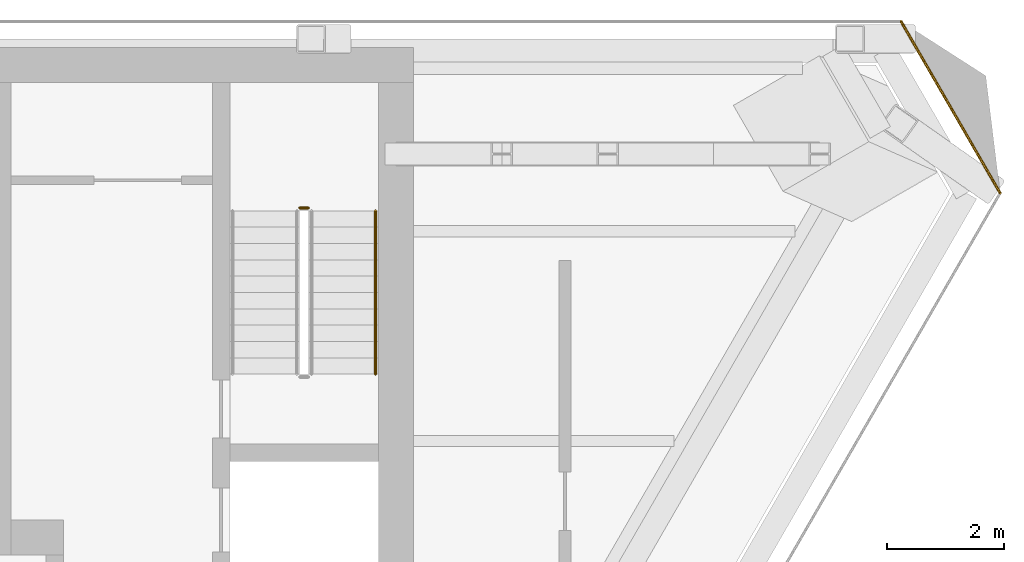
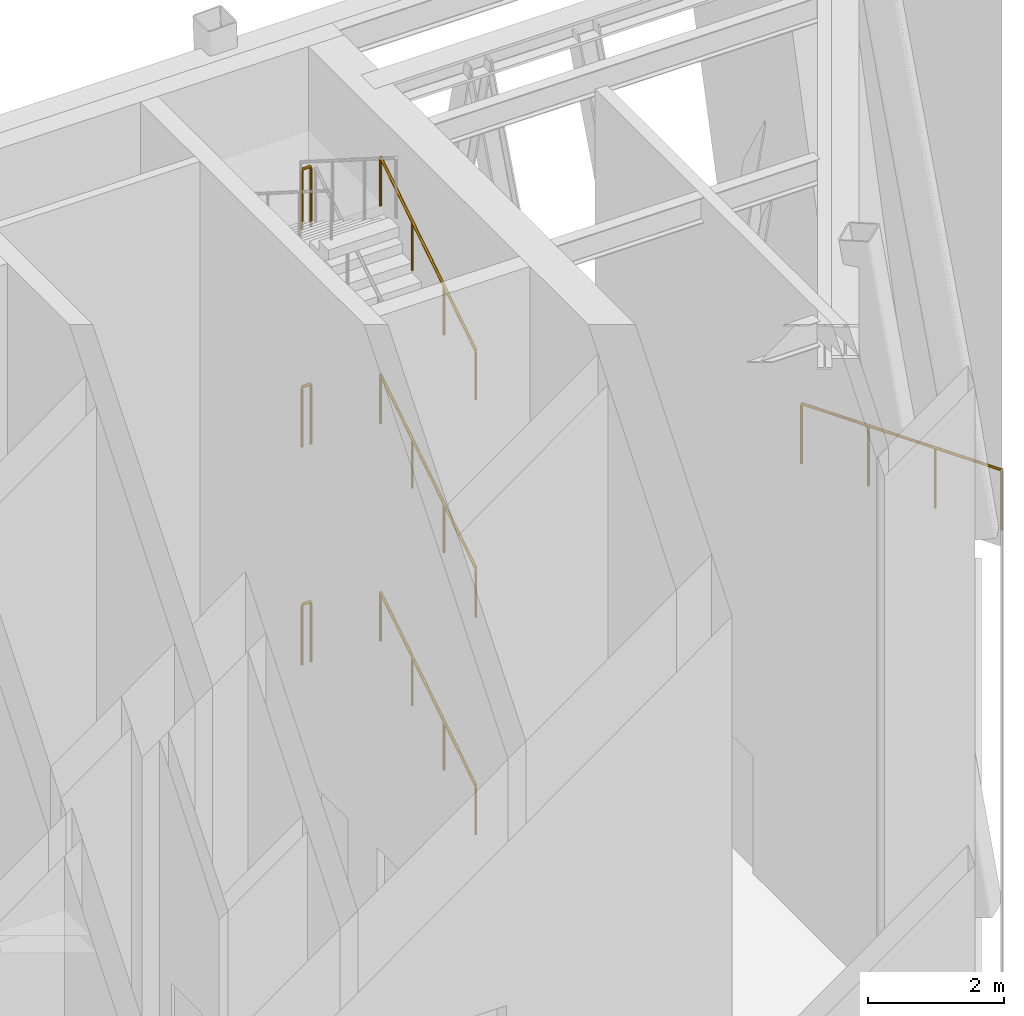
# One storey, part 11 of 11: 7 railings.
"""IFC4 building model written with IfcOpenShell, lengths in metres."""

from ifc_helpers import new_model, si_unit, direction, frame, origin, origin_2d, place, context, subcontext, project, spatial, circle, extrude, material, type_object, element, save


model = new_model("IFC4")

# Units and contexts
model_context = context("Model", 3, precision=1e-05, world=origin(), true_north=direction((0.0, 1.0)))
body_context = subcontext(model_context, "Body", "Model", "MODEL_VIEW")
ifc_project = project(units=[si_unit("LENGTHUNIT", "METRE"), si_unit("AREAUNIT", "SQUARE_METRE"), si_unit("VOLUMEUNIT", "CUBIC_METRE"), si_unit("PLANEANGLEUNIT", "RADIAN"), si_unit("MASSUNIT", "GRAM", prefix="KILO")], contexts=[model_context])

# Site, building, storey
site_placement = place(None, origin())
site = spatial("IfcSite", under=ifc_project, at=site_placement, CompositionType="ELEMENT")
building_placement = place(site_placement, origin())
building = spatial("IfcBuilding", under=site, at=building_placement, Name="Aloe Facet Convention Tower", CompositionType="ELEMENT")
storey_placement = place(building_placement, frame((0.0, 0.0, 227.0)))
storey = spatial("IfcBuildingStorey", under=building, at=storey_placement, Name="L57", CompositionType="ELEMENT", Elevation=227.0)

# Railings
ifc_material_1 = material(Name="Steel S355 balustrade", Category="steel")
railing_type_1 = type_object("IfcRailingType", Name="CR-RL-GUARD", PredefinedType="GUARDRAIL", material=ifc_material_1)
for number, where, name in (
    (1, (89.199951171875, 131.800048828125, 1.949951171875), "L57 ST2 stair guard 2"),
    (2, (89.199951171875, 131.800048828125, 5.85009765625), "L57 ST2 stair guard 6"),
    (3, (89.199951171875, 131.800048828125, 9.75), "L57 ST2 stair guard 10"),
):
    element("IfcRailing", number, at=place(storey_placement, frame(where)), inside=storey, type_object=railing_type_1, Name=name, PredefinedType="GUARDRAIL", context=body_context, shape_type="SweptSolid", body=[
        extrude(circle(Radius=0.02392578125, at=origin_2d()), frame((0.0, 0.0, 1.076171875), z_axis=(-1.0, 0.0, 0.0), x_axis=(0.0, -1.0, 0.0)), (0.0, 0.0, 1.0), 0.14990234375),
        extrude(circle(Radius=0.02099609375, at=origin_2d()), origin(), (0.0, 0.0, 1.0), 1.052001953125),
        extrude(circle(Radius=0.02099609375, at=origin_2d()), frame((-0.14990234375, 0.0, 0.0)), (0.0, 0.0, 1.0), 1.052001953125),
    ])
ifc_material_2 = material(Name="Steel S355 handrail", Category="steel")
railing_type_2 = type_object("IfcRailingType", Name="CR-RL-HAND", PredefinedType="HANDRAIL", material=ifc_material_2)
for number, where, name in (
    (4, (90.35009765625, 128.949951171875, 0.17724609375), "L57 ST2 stair handrail 1"),
    (5, (90.35009765625, 128.949951171875, 4.077392578125), "L57 ST2 stair handrail 3"),
    (6, (90.35009765625, 128.949951171875, 7.977294921875), "L57 ST2 stair handrail 5"),
):
    element("IfcRailing", number, at=place(storey_placement, frame(where)), inside=storey, type_object=railing_type_2, Name=name, PredefinedType="HANDRAIL", context=body_context, shape_type="SweptSolid", body=[
        extrude(circle(Radius=0.02392578125, at=origin_2d()), frame((0.0, 0.0, 0.8759765625), z_axis=(0.0, 0.844908973607, 0.534910110503), x_axis=(-1.0, 0.0, 0.0)), (0.0, 0.0, 1.0), 3.31396484375),
        extrude(circle(Radius=0.02099609375, at=origin_2d()), origin(), (0.0, 0.0, 1.0), 0.851806640625),
        extrude(circle(Radius=0.02099609375, at=origin_2d()), frame((0.0, 0.933349609375, 0.5908203125)), (0.0, 0.0, 1.0), 0.851806640625),
        extrude(circle(Radius=0.02099609375, at=origin_2d()), frame((0.0, 1.86669921875, 1.181884765625)), (0.0, 0.0, 1.0), 0.851806640625),
        extrude(circle(Radius=0.02099609375, at=origin_2d()), frame((0.0, 2.800048828125, 1.772705078125)), (0.0, 0.0, 1.0), 0.851806640625),
    ])
ifc_material_3 = material(Name="Steel S355", Category="steel")
railing_type_3 = type_object("IfcRailingType", Name="EV-GUARD-PORTAL", PredefinedType="GUARDRAIL", material=ifc_material_3)
railing_placement = place(storey_placement, frame((101.064697265625, 132.055419921875, 0.0)))
element("IfcRailing", 7, at=railing_placement, inside=storey, type_object=railing_type_3, Name="GUARD L57-6", PredefinedType="GUARDRAIL", context=body_context, shape_type="SweptSolid", body=[
    extrude(circle(Radius=0.02392578125, at=origin_2d()), frame((0.0, 0.0, 1.076171875), z_axis=(-0.500031147688, 0.866007419912, 0.0), x_axis=(-0.866007419912, -0.500031147688, 0.0)), (0.0, 0.0, 1.0), 3.400146484375),
    extrude(circle(Radius=0.02099609375, at=origin_2d()), origin(), (0.0, 0.0, 1.0), 1.052001953125),
    extrude(circle(Radius=0.02099609375, at=origin_2d()), frame((-0.566650390625, 0.9814453125, 0.0)), (0.0, 0.0, 1.0), 1.052001953125),
    extrude(circle(Radius=0.02099609375, at=origin_2d()), frame((-1.133544921875, 1.963134765625, 0.0)), (0.0, 0.0, 1.0), 1.052001953125),
    extrude(circle(Radius=0.02099609375, at=origin_2d()), frame((-1.7001953125, 2.944580078125, 0.0)), (0.0, 0.0, 1.0), 1.052001953125),
])

save(model, "model.ifc")
